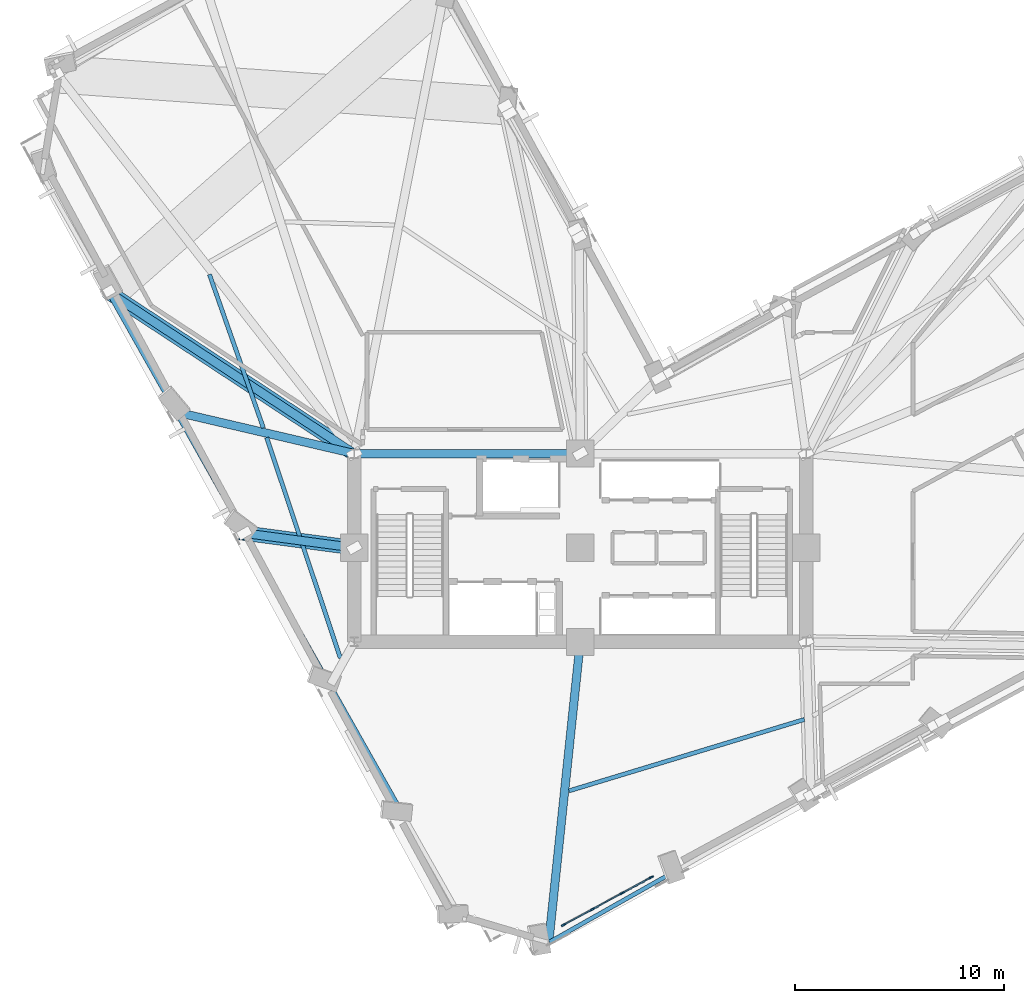
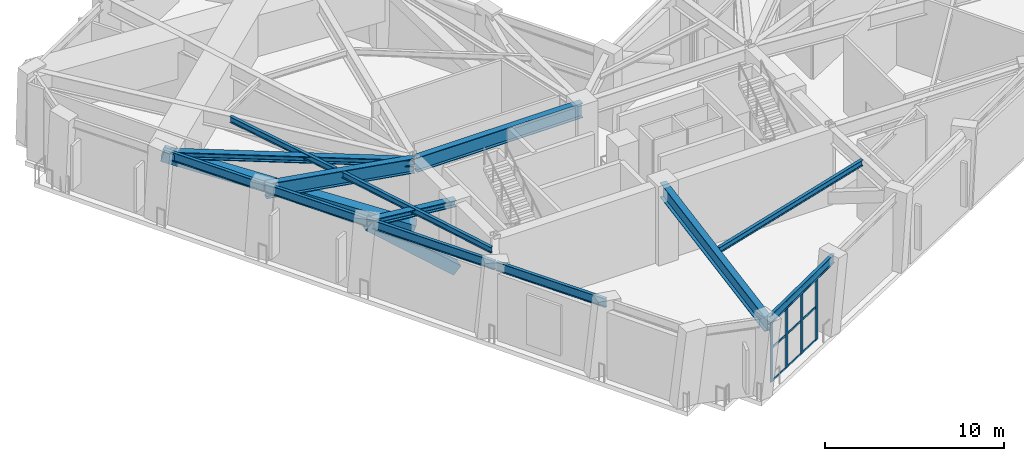
# One storey, part 3 of 15: 17 members, 11 beams, 1 element without a shape of its own.
"""IFC4 building model written with IfcOpenShell, lengths in metres."""

from ifc_helpers import new_model, si_unit, direction, frame, origin, origin_2d, place, context, subcontext, project, spatial, rectangle, hollow_rectangle, i_section, extrude, material, material_profile, profile_set, type_object, element, aggregate, save


model = new_model("IFC4")

# Units and contexts
model_context = context("Model", 3, precision=1e-05, world=origin(), true_north=direction((0.0, 1.0)))
body_context = subcontext(model_context, "Body", "Model", "MODEL_VIEW")
ifc_project = project(units=[si_unit("LENGTHUNIT", "METRE"), si_unit("AREAUNIT", "SQUARE_METRE"), si_unit("VOLUMEUNIT", "CUBIC_METRE"), si_unit("PLANEANGLEUNIT", "RADIAN"), si_unit("MASSUNIT", "GRAM", prefix="KILO")], contexts=[model_context])

# Site, building, storey
site_placement = place(None, origin())
site = spatial("IfcSite", under=ifc_project, at=site_placement, CompositionType="ELEMENT")
building_placement = place(site_placement, origin())
building = spatial("IfcBuilding", under=site, at=building_placement, Name="Gaonmaruhae Medical Tower", CompositionType="ELEMENT")
storey_placement = place(building_placement, frame((0.0, 0.0, 144.39990234375)))
storey = spatial("IfcBuildingStorey", under=building, at=storey_placement, Name="L34", CompositionType="ELEMENT", Elevation=144.39990234375)

# Beams
ifc_material_1 = material(Name="Steel SM420", Category="steel")
ifc_material_profile_1 = material_profile(ifc_material_1, i_section(OverallWidth=0.39990234375, OverallDepth=1.0, WebThickness=0.02197265625, FlangeThickness=0.035888671875, at=origin_2d()), Name="BH-1000x400x22x36")
ifc_profile_set_1 = profile_set([ifc_material_profile_1], Name="Steel SM420")
beam_type_1 = type_object("IfcBeamType", Name="BG-02 Refuge Floor Primary Girder (BH-1000x400x22x36)", PredefinedType="BEAM", material=ifc_profile_set_1)
beam_1_placement = place(storey_placement, frame((14.050048828125, 16.800048828125, 4.68017578125), z_axis=(1.0, 0.0, 0.0), x_axis=(0.0, 1.0, 0.0)))
element("IfcBeam", 1, at=beam_1_placement, inside=storey, type_object=beam_type_1, Name="L34 Beam BM-L34-CG-N1", PredefinedType="BEAM", context=body_context, shape_type="SweptSolid", body=[
    extrude(i_section(OverallWidth=0.39990234375, OverallDepth=1.0, WebThickness=0.02197265625, FlangeThickness=0.035888671875, at=origin_2d()), origin(), (0.0, 0.0, 1.0), 10.699951171875),
])
beam_2_placement = place(storey_placement, frame((24.794677734375, 7.750244140625, 4.68017578125), z_axis=(-0.104323450375, -0.994543421728, 0.0), x_axis=(0.994543421728, -0.104323450375, 0.0)))
element("IfcBeam", 2, at=beam_2_placement, inside=storey, type_object=beam_type_1, Name="L34 Radial Primary Girder S01", PredefinedType="BEAM", context=body_context, shape_type="SweptSolid", body=[
    extrude(i_section(OverallWidth=0.39990234375, OverallDepth=1.0, WebThickness=0.02197265625, FlangeThickness=0.035888671875, at=origin_2d()), origin(), (0.0, 0.0, 1.0), 14.350341796875),
])
beam_3_placement = place(storey_placement, frame((13.951416015625, 16.811279296875, 4.68017578125), z_axis=(-0.973789620159, 0.227450600506, 0.0), x_axis=(-0.227450600506, -0.973789620159, 0.0)))
element("IfcBeam", 3, at=beam_3_placement, inside=storey, type_object=beam_type_1, Name="L34 Radial Primary Girder W03", PredefinedType="BEAM", context=body_context, shape_type="SweptSolid", body=[
    extrude(i_section(OverallWidth=0.39990234375, OverallDepth=1.0, WebThickness=0.02197265625, FlangeThickness=0.035888671875, at=origin_2d()), origin(), (0.0, 0.0, 1.0), 8.6611328125),
])

# Curtain wall, members
ifc_material_2 = material(Name="Anodised aluminium and Low-E double glazing", Category="aluminium")
curtain_wall_type = type_object("IfcCurtainWallType", Name="CW-S2 Express Sky Lobby Feature Curtain Wall", PredefinedType="NOTDEFINED", material=ifc_material_2)
curtain_wall_placement = place(storey_placement, origin())
curtain_wall = element("IfcCurtainWall", 4, at=curtain_wall_placement, inside=storey, type_object=curtain_wall_type, Name="L34 Curtain Wall CW-L34-S01", PredefinedType="NOTDEFINED")
ifc_material_3 = material(Name="Anodised aluminium 6063-T6", Category="aluminium")
ifc_material_profile_2 = material_profile(ifc_material_3, rectangle(XDim=0.074951171875, YDim=0.219970703125, at=origin_2d()), Name="CWM-75x220")
ifc_profile_set_2 = profile_set([ifc_material_profile_2], Name="Anodised aluminium 6063-T6")
member_type_1 = type_object("IfcMemberType", Name="CWM-1 Heavy Atrium Curtain Wall Mullion (CWM-75x220)", PredefinedType="MULLION", material=ifc_profile_set_2)
member_1_placement = place(storey_placement, frame((28.1962890625, -3.4521484375, 0.0), z_axis=(0.0, 0.0, 1.0), x_axis=(0.477169172077, -0.878811459426, 0.0)))
member_1 = element("IfcMember", 5, at=member_1_placement, type_object=member_type_1, Name="CW-S2 mullion 1", PredefinedType="MULLION", context=body_context, shape_type="SweptSolid", body=[
    extrude(rectangle(XDim=0.074951171875, YDim=0.219970703125, at=origin_2d()), origin(), (0.0, 0.0, 1.0), 4.565185546875),
])
member_2_placement = place(storey_placement, frame((26.8076171875, -4.2060546875, 0.0), z_axis=(0.0, 0.0, 1.0), x_axis=(0.477169172077, -0.878811459426, 0.0)))
member_2 = element("IfcMember", 6, at=member_2_placement, type_object=member_type_1, Name="CW-S2 mullion 2", PredefinedType="MULLION", context=body_context, shape_type="SweptSolid", body=[
    extrude(rectangle(XDim=0.074951171875, YDim=0.219970703125, at=origin_2d()), origin(), (0.0, 0.0, 1.0), 4.565185546875),
])
member_3_placement = place(storey_placement, frame((25.38623046875, -4.977783203125, 0.0), z_axis=(0.0, 0.0, 1.0), x_axis=(0.477169172077, -0.878811459426, 0.0)))
member_3 = element("IfcMember", 7, at=member_3_placement, type_object=member_type_1, Name="CW-S2 mullion 3", PredefinedType="MULLION", context=body_context, shape_type="SweptSolid", body=[
    extrude(rectangle(XDim=0.074951171875, YDim=0.219970703125, at=origin_2d()), origin(), (0.0, 0.0, 1.0), 4.565185546875),
])
member_4_placement = place(storey_placement, frame((23.99755859375, -5.731689453125, 0.0), z_axis=(0.0, 0.0, 1.0), x_axis=(0.477169172077, -0.878811459426, 0.0)))
member_4 = element("IfcMember", 8, at=member_4_placement, type_object=member_type_1, Name="CW-S2 mullion 4", PredefinedType="MULLION", context=body_context, shape_type="SweptSolid", body=[
    extrude(rectangle(XDim=0.074951171875, YDim=0.219970703125, at=origin_2d()), origin(), (0.0, 0.0, 1.0), 4.565185546875),
])
ifc_material_profile_3 = material_profile(ifc_material_3, rectangle(XDim=0.06494140625, YDim=0.139892578125, at=origin_2d()), Name="CWT-65x140")
ifc_profile_set_3 = profile_set([ifc_material_profile_3], Name="Anodised aluminium 6063-T6")
member_type_2 = type_object("IfcMemberType", Name="CWT-2 Tower Feature Curtain Wall Transom (CWT-65x140)", PredefinedType="USERDEFINED", material=ifc_profile_set_3)
member_5_placement = place(storey_placement, frame((28.163330078125, -3.469970703125, 0.03271484375), z_axis=(-0.878799018421, -0.4771920842, 0.0), x_axis=(0.4771920842, -0.878799018421, 0.0)))
member_5 = element("IfcMember", 9, at=member_5_placement, type_object=member_type_2, Name="CW-S2 transom 1.1", ObjectType="TRANSOM", PredefinedType="USERDEFINED", context=body_context, shape_type="SweptSolid", body=[
    extrude(rectangle(XDim=0.06494140625, YDim=0.139892578125, at=origin_2d()), origin(), (0.0, 0.0, 1.0), 1.505126953125),
])
member_6_placement = place(storey_placement, frame((28.163330078125, -3.469970703125, 2.28271484375), z_axis=(-0.878799018421, -0.4771920842, 0.0), x_axis=(0.4771920842, -0.878799018421, 0.0)))
member_6 = element("IfcMember", 10, at=member_6_placement, type_object=member_type_2, Name="CW-S2 transom 1.2", ObjectType="TRANSOM", PredefinedType="USERDEFINED", context=body_context, shape_type="SweptSolid", body=[
    extrude(rectangle(XDim=0.06494140625, YDim=0.139892578125, at=origin_2d()), origin(), (0.0, 0.0, 1.0), 1.505126953125),
])
member_7_placement = place(storey_placement, frame((28.163330078125, -3.469970703125, 4.53271484375), z_axis=(-0.878799018421, -0.4771920842, 0.0), x_axis=(0.4771920842, -0.878799018421, 0.0)))
member_7 = element("IfcMember", 11, at=member_7_placement, type_object=member_type_2, Name="CW-S2 transom 1.3", ObjectType="TRANSOM", PredefinedType="USERDEFINED", context=body_context, shape_type="SweptSolid", body=[
    extrude(rectangle(XDim=0.06494140625, YDim=0.139892578125, at=origin_2d()), origin(), (0.0, 0.0, 1.0), 1.505126953125),
])
member_8_placement = place(storey_placement, frame((26.774658203125, -4.223876953125, 0.03271484375), z_axis=(-0.87878326299, -0.477221098328, 0.0), x_axis=(0.477221098328, -0.87878326299, 0.0)))
member_8 = element("IfcMember", 12, at=member_8_placement, type_object=member_type_2, Name="CW-S2 transom 2.1", ObjectType="TRANSOM", PredefinedType="USERDEFINED", context=body_context, shape_type="SweptSolid", body=[
    extrude(rectangle(XDim=0.06494140625, YDim=0.139892578125, at=origin_2d()), origin(), (0.0, 0.0, 1.0), 1.54248046875),
])
member_9_placement = place(storey_placement, frame((26.774658203125, -4.223876953125, 2.28271484375), z_axis=(-0.87878326299, -0.477221098328, 0.0), x_axis=(0.477221098328, -0.87878326299, 0.0)))
member_9 = element("IfcMember", 13, at=member_9_placement, type_object=member_type_2, Name="CW-S2 transom 2.2", ObjectType="TRANSOM", PredefinedType="USERDEFINED", context=body_context, shape_type="SweptSolid", body=[
    extrude(rectangle(XDim=0.06494140625, YDim=0.139892578125, at=origin_2d()), origin(), (0.0, 0.0, 1.0), 1.54248046875),
])
member_10_placement = place(storey_placement, frame((26.774658203125, -4.223876953125, 4.53271484375), z_axis=(-0.87878326299, -0.477221098328, 0.0), x_axis=(0.477221098328, -0.87878326299, 0.0)))
member_10 = element("IfcMember", 14, at=member_10_placement, type_object=member_type_2, Name="CW-S2 transom 2.3", ObjectType="TRANSOM", PredefinedType="USERDEFINED", context=body_context, shape_type="SweptSolid", body=[
    extrude(rectangle(XDim=0.06494140625, YDim=0.139892578125, at=origin_2d()), origin(), (0.0, 0.0, 1.0), 1.54248046875),
])
member_11_placement = place(storey_placement, frame((25.353271484375, -4.995849609375, 0.03271484375), z_axis=(-0.878867034244, -0.477066804672, 0.0), x_axis=(0.477066804672, -0.878867034244, 0.0)))
member_11 = element("IfcMember", 15, at=member_11_placement, type_object=member_type_2, Name="CW-S2 transom 3.1", ObjectType="TRANSOM", PredefinedType="USERDEFINED", context=body_context, shape_type="SweptSolid", body=[
    extrude(rectangle(XDim=0.06494140625, YDim=0.139892578125, at=origin_2d()), origin(), (0.0, 0.0, 1.0), 1.505126953125),
])
member_12_placement = place(storey_placement, frame((25.353271484375, -4.995849609375, 2.28271484375), z_axis=(-0.878867034244, -0.477066804672, 0.0), x_axis=(0.477066804672, -0.878867034244, 0.0)))
member_12 = element("IfcMember", 16, at=member_12_placement, type_object=member_type_2, Name="CW-S2 transom 3.2", ObjectType="TRANSOM", PredefinedType="USERDEFINED", context=body_context, shape_type="SweptSolid", body=[
    extrude(rectangle(XDim=0.06494140625, YDim=0.139892578125, at=origin_2d()), origin(), (0.0, 0.0, 1.0), 1.505126953125),
])
member_13_placement = place(storey_placement, frame((25.353271484375, -4.995849609375, 4.53271484375), z_axis=(-0.878867034244, -0.477066804672, 0.0), x_axis=(0.477066804672, -0.878867034244, 0.0)))
member_13 = element("IfcMember", 17, at=member_13_placement, type_object=member_type_2, Name="CW-S2 transom 3.3", ObjectType="TRANSOM", PredefinedType="USERDEFINED", context=body_context, shape_type="SweptSolid", body=[
    extrude(rectangle(XDim=0.06494140625, YDim=0.139892578125, at=origin_2d()), origin(), (0.0, 0.0, 1.0), 1.505126953125),
])
aggregate(curtain_wall, [member_1, member_2, member_3, member_4, member_5, member_6, member_7, member_8, member_9, member_10, member_11, member_12, member_13])

# Beams
ifc_material_4 = material(Name="Steel SM355", Category="steel")
ifc_material_profile_4 = material_profile(ifc_material_4, i_section(OverallWidth=0.199951171875, OverallDepth=0.39990234375, WebThickness=0.008056640625, FlangeThickness=0.012939453125, FilletRadius=0.012939453125, at=origin_2d()), Name="H-400x200x8x13")
ifc_profile_set_4 = profile_set([ifc_material_profile_4], Name="Steel SM355")
beam_type_2 = type_object("IfcBeamType", Name="FJ-01 Lower Zone Ward Floor Joist (H-400x200x8x13)", PredefinedType="JOIST", material=ifc_profile_set_4)
beam_4_placement = place(storey_placement, frame((24.259765625, 0.678955078125, 4.97998046875), z_axis=(0.956940020247, 0.290285717266, 0.0), x_axis=(-0.290285717266, 0.956940020247, 0.0)))
element("IfcBeam", 18, at=beam_4_placement, inside=storey, type_object=beam_type_2, Name="L34 Secondary Floor Joist FJ01", PredefinedType="JOIST", context=body_context, shape_type="SweptSolid", body=[
    extrude(i_section(OverallWidth=0.199951171875, OverallDepth=0.39990234375, WebThickness=0.008056640625, FlangeThickness=0.012939453125, FilletRadius=0.012939453125, at=origin_2d()), origin(), (0.0, 0.0, 1.0), 11.758544921875),
])
beam_5_placement = place(storey_placement, frame((7.07470703125, 25.367919921875, 4.97998046875), z_axis=(0.331415049846, -0.943485063335, 0.0), x_axis=(0.943485063335, 0.331415049846, 0.0)))
element("IfcBeam", 19, at=beam_5_placement, inside=storey, type_object=beam_type_2, Name="L34 Secondary Floor Joist FJ12", PredefinedType="JOIST", context=body_context, shape_type="SweptSolid", body=[
    extrude(i_section(OverallWidth=0.199951171875, OverallDepth=0.39990234375, WebThickness=0.008056640625, FlangeThickness=0.012939453125, FilletRadius=0.012939453125, at=origin_2d()), origin(), (0.0, 0.0, 1.0), 7.781982421875),
])
beam_6_placement = place(storey_placement, frame((9.810791015625, 17.56787109375, 4.97998046875), z_axis=(0.317038259765, -0.948412748673, 0.0), x_axis=(0.948412748673, 0.317038259765, 0.0)))
element("IfcBeam", 20, at=beam_6_placement, inside=storey, type_object=beam_type_2, Name="L34 Secondary Floor Joist FJ13", PredefinedType="JOIST", context=body_context, shape_type="SweptSolid", body=[
    extrude(i_section(OverallWidth=0.199951171875, OverallDepth=0.39990234375, WebThickness=0.008056640625, FlangeThickness=0.012939453125, FilletRadius=0.012939453125, at=origin_2d()), origin(), (0.0, 0.0, 1.0), 11.113525390625),
])

# Members
ifc_material_5 = material(Name="Steel HSA650 (650 MPa)", Category="steel")
ifc_material_profile_5 = material_profile(ifc_material_5, i_section(OverallWidth=0.4169921875, OverallDepth=0.4580078125, WebThickness=0.030029296875, FlangeThickness=0.050048828125, FilletRadius=0.02197265625, at=origin_2d()), Name="H-458x417x30x50")
ifc_profile_set_5 = profile_set([ifc_material_profile_5], Name="Steel HSA650 (650 MPa)")
member_type_3 = type_object("IfcMemberType", Name="OT-C1 Outrigger Truss Chord (H-458x417x30x50)", PredefinedType="CHORD", material=ifc_profile_set_5)
member_14_placement = place(storey_placement, frame((14.0, 16.800048828125, 4.830078125), z_axis=(-0.835673219193, 0.549226975596, 0.0), x_axis=(-0.549226975596, -0.835673219193, 0.0)))
element("IfcMember", 21, at=member_14_placement, inside=storey, type_object=member_type_3, Name="L34 Outrigger Truss Chord OTC07", PredefinedType="CHORD", context=body_context, shape_type="SweptSolid", body=[
    extrude(i_section(OverallWidth=0.4169921875, OverallDepth=0.4580078125, WebThickness=0.030029296875, FlangeThickness=0.050048828125, FilletRadius=0.02197265625, at=origin_2d()), origin(), (0.0, 0.0, 1.0), 14.092041015625),
])
member_15_placement = place(storey_placement, frame((14.0, 12.300048828125, 4.830078125), z_axis=(-0.991219463451, 0.132226983919, 0.0), x_axis=(-0.132226983919, -0.991219463451, 0.0)))
element("IfcMember", 22, at=member_15_placement, inside=storey, type_object=member_type_3, Name="L34 Outrigger Truss Chord OTC08", PredefinedType="CHORD", context=body_context, shape_type="SweptSolid", body=[
    extrude(i_section(OverallWidth=0.4169921875, OverallDepth=0.4580078125, WebThickness=0.030029296875, FlangeThickness=0.050048828125, FilletRadius=0.02197265625, at=origin_2d()), origin(), (0.0, 0.0, 1.0), 5.308349609375),
])
ifc_material_profile_6 = material_profile(ifc_material_5, hollow_rectangle(XDim=0.699951171875, YDim=0.699951171875, WallThickness=0.031982421875, at=origin_2d()), Name="RHS-700x700x32")
ifc_profile_set_6 = profile_set([ifc_material_profile_6], Name="Steel HSA650 (650 MPa)")
member_type_4 = type_object("IfcMemberType", Name="OT-D1 Outrigger Truss Diagonal Lower (RHS-700x700x32)", PredefinedType="BRACE", material=ifc_profile_set_6)
member_16_placement = place(storey_placement, frame((14.0, 16.800048828125, 0.35009765625), z_axis=(-0.79639756818, 0.523413958588, 0.302966568043), x_axis=(-0.549226975596, -0.835673219193, 0.0)))
element("IfcMember", 23, at=member_16_placement, inside=storey, type_object=member_type_4, Name="L34 Outrigger Truss Diagonal OTD07", PredefinedType="BRACE", context=body_context, shape_type="SweptSolid", body=[
    extrude(hollow_rectangle(XDim=0.699951171875, YDim=0.699951171875, WallThickness=0.031982421875, at=origin_2d()), origin(), (0.0, 0.0, 1.0), 14.787109375),
])
member_17_placement = place(storey_placement, frame((14.0, 12.300048828125, 0.35009765625), z_axis=(-0.757504762291, 0.101049841852, 0.644961599297), x_axis=(-0.132226983919, -0.991219463451, 0.0)))
element("IfcMember", 24, at=member_17_placement, inside=storey, type_object=member_type_4, Name="L34 Outrigger Truss Diagonal OTD08", PredefinedType="BRACE", context=body_context, shape_type="SweptSolid", body=[
    extrude(hollow_rectangle(XDim=0.699951171875, YDim=0.699951171875, WallThickness=0.031982421875, at=origin_2d()), origin(), (0.0, 0.0, 1.0), 6.946044921875),
])

# Beams
ifc_material_profile_7 = material_profile(ifc_material_4, i_section(OverallWidth=0.199951171875, OverallDepth=0.60009765625, WebThickness=0.010986328125, FlangeThickness=0.01708984375, FilletRadius=0.012939453125, at=origin_2d()), Name="H-600x200x11x17")
ifc_profile_set_7 = profile_set([ifc_material_profile_7], Name="Steel SM355")
beam_type_3 = type_object("IfcBeamType", Name="SP-01 Lower Perimeter Spandrel Beam (H-600x200x11x17)", PredefinedType="SPANDREL", material=ifc_profile_set_7)
beam_7_placement = place(storey_placement, frame((23.3271484375, -6.552001953125, 4.880126953125), z_axis=(0.870778610974, 0.491675310209, 0.0), x_axis=(-0.491675310209, 0.870778610974, 0.0)))
element("IfcBeam", 25, at=beam_7_placement, inside=storey, type_object=beam_type_3, Name="L34 Perimeter Spandrel Beam S01-S02", PredefinedType="SPANDREL", context=body_context, shape_type="SweptSolid", body=[
    extrude(i_section(OverallWidth=0.199951171875, OverallDepth=0.60009765625, WebThickness=0.010986328125, FlangeThickness=0.01708984375, FilletRadius=0.012939453125, at=origin_2d()), origin(), (0.0, 0.0, 1.0), 7.1201171875),
])
beam_8_placement = place(storey_placement, frame((2.243408203125, 24.5048828125, 4.880126953125), z_axis=(0.4916561969, -0.870789402812, 0.0), x_axis=(0.870789402812, 0.4916561969, 0.0)))
element("IfcBeam", 26, at=beam_8_placement, inside=storey, type_object=beam_type_3, Name="L34 Perimeter Spandrel Beam W02-W03", PredefinedType="SPANDREL", context=body_context, shape_type="SweptSolid", body=[
    extrude(i_section(OverallWidth=0.199951171875, OverallDepth=0.60009765625, WebThickness=0.010986328125, FlangeThickness=0.01708984375, FilletRadius=0.012939453125, at=origin_2d()), origin(), (0.0, 0.0, 1.0), 6.52001953125),
])
beam_9_placement = place(storey_placement, frame((5.48828125, 18.7578125, 4.880126953125), z_axis=(0.49165436125, -0.870790439236, 0.0), x_axis=(0.870790439236, 0.49165436125, 0.0)))
element("IfcBeam", 27, at=beam_9_placement, inside=storey, type_object=beam_type_3, Name="L34 Perimeter Spandrel Beam W03-W04", PredefinedType="SPANDREL", context=body_context, shape_type="SweptSolid", body=[
    extrude(i_section(OverallWidth=0.199951171875, OverallDepth=0.60009765625, WebThickness=0.010986328125, FlangeThickness=0.01708984375, FilletRadius=0.012939453125, at=origin_2d()), origin(), (0.0, 0.0, 1.0), 6.570068359375),
])
beam_10_placement = place(storey_placement, frame((8.7578125, 12.967041015625, 4.880126953125), z_axis=(0.491671997713, -0.87078048133, 0.0), x_axis=(0.87078048133, 0.491671997713, 0.0)))
element("IfcBeam", 28, at=beam_10_placement, inside=storey, type_object=beam_type_3, Name="L34 Perimeter Spandrel Beam W04-W05", PredefinedType="SPANDREL", context=body_context, shape_type="SweptSolid", body=[
    extrude(i_section(OverallWidth=0.199951171875, OverallDepth=0.60009765625, WebThickness=0.010986328125, FlangeThickness=0.01708984375, FilletRadius=0.012939453125, at=origin_2d()), origin(), (0.0, 0.0, 1.0), 8.27001953125),
])
beam_11_placement = place(storey_placement, frame((12.86328125, 5.696044921875, 4.880126953125), z_axis=(0.491675310209, -0.870778610974, 0.0), x_axis=(0.870778610974, 0.491675310209, 0.0)))
element("IfcBeam", 29, at=beam_11_placement, inside=storey, type_object=beam_type_3, Name="L34 Perimeter Spandrel Beam W05-W06", PredefinedType="SPANDREL", context=body_context, shape_type="SweptSolid", body=[
    extrude(i_section(OverallWidth=0.199951171875, OverallDepth=0.60009765625, WebThickness=0.010986328125, FlangeThickness=0.01708984375, FilletRadius=0.012939453125, at=origin_2d()), origin(), (0.0, 0.0, 1.0), 7.1201171875),
])

save(model, "model.ifc")
